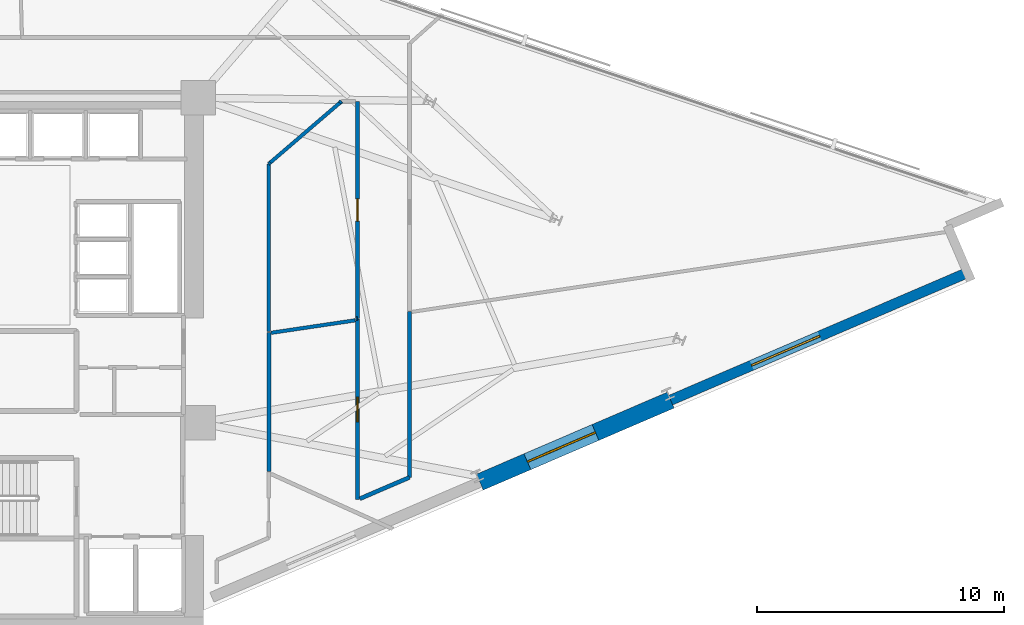
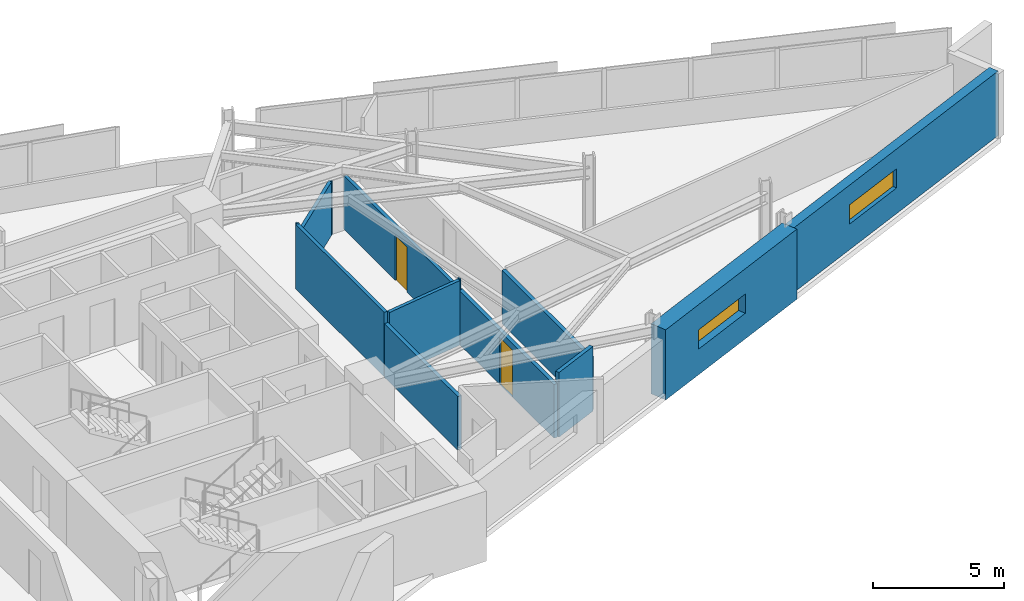
# One storey, part 11 of 14: 13 walls, 2 doors, 2 windows, 4 openings.
"""IFC4 building model written with IfcOpenShell, lengths in metres."""

import ifcopenshell
import ifcopenshell.guid

model = None  # the IFC model being written
_history = None  # IfcOwnerHistory: only IFC2X3 demands one
_inside = {}  # id of a spatial element -> (the spatial element, [elements in it])
_under = {}  # id of a project, library or spatial element -> (it, [spatial elements below it])
_declared = {}  # id of a project -> (the project, [libraries it declares])
_typed = {}  # id of a type object -> (the type object, [elements of that type])
_made_of = {}  # id of a material, layer set ... -> (it, [elements and type objects made of it])


def new_model(schema):
    """Start an empty IFC model of exactly this schema.

    Asked for "IFC4X3", IfcOpenShell would pick the latest addendum, in which some entities
    have other attributes; the version numbers below select the first issue.
    IFC2X3 requires an IfcOwnerHistory on every rooted entity: one is made here for all.
    """
    global model, _history
    if schema == "IFC4X3":
        model = ifcopenshell.file(schema_version=(4, 3, 0, 0))
    else:
        model = ifcopenshell.file(schema=schema)
    _inside.clear()
    _under.clear()
    _declared.clear()
    _typed.clear()
    _made_of.clear()
    _history = None
    if model.schema == "IFC2X3":
        org = make("IfcOrganization", Name="unknown")
        user = make(
            "IfcPersonAndOrganization",
            ThePerson=make("IfcPerson", FamilyName="unknown"),
            TheOrganization=org,
        )
        app = make(
            "IfcApplication",
            ApplicationDeveloper=org,
            Version="unknown",
            ApplicationFullName="unknown",
            ApplicationIdentifier="unknown",
        )
        _history = make(
            "IfcOwnerHistory",
            OwningUser=user,
            OwningApplication=app,
            ChangeAction="ADDED",
            CreationDate=0,
        )
    return model


def make(cls, **values):
    """One entity of the class cls with the attributes given. An attribute that is None is left unset."""
    return model.create_entity(
        cls, **{name: value for name, value in values.items() if value is not None}
    )


def rooted(cls, **values):
    """An entity with a GlobalId (a new one), such as an element, a storey or a relation."""
    return make(cls, GlobalId=ifcopenshell.guid.new(), OwnerHistory=_history, **values)


def si_unit(unit_type, name, prefix=None):
    """IfcSIUnit, for example si_unit("LENGTHUNIT", "METRE", prefix="MILLI")."""
    return make("IfcSIUnit", UnitType=unit_type, Prefix=prefix, Name=name)


def assignment(units):
    """IfcUnitAssignment: the units of a project."""
    return None if units is None else make("IfcUnitAssignment", Units=units)


def point(xyz):
    """IfcCartesianPoint."""
    return None if xyz is None else make("IfcCartesianPoint", Coordinates=xyz)


def direction(xyz):
    """IfcDirection."""
    return None if xyz is None else make("IfcDirection", DirectionRatios=xyz)


def frame(location, z_axis=None, x_axis=None):
    """IfcAxis2Placement3D, a coordinate frame: its origin and axes. An axis left out is left unset."""
    return make(
        "IfcAxis2Placement3D",
        Location=point(location),
        Axis=direction(z_axis),
        RefDirection=direction(x_axis),
    )


def frame_2d(location, x_axis=None):
    """IfcAxis2Placement2D, a coordinate frame in the plane: its origin and x axis."""
    return make(
        "IfcAxis2Placement2D", Location=point(location), RefDirection=direction(x_axis)
    )


def origin():
    """The frame at (0, 0, 0) with its axes left unset."""
    return frame((0.0, 0.0, 0.0))


def place(relative_to, where):
    """IfcLocalPlacement: puts the frame where relative to a parent placement (None: the world)."""
    return make(
        "IfcLocalPlacement", PlacementRelTo=relative_to, RelativePlacement=where
    )


def context(
    kind, dimensions, precision=None, world=None, true_north=None, identifier=None
):
    """IfcGeometricRepresentationContext, for example the 3D "Model" context."""
    return make(
        "IfcGeometricRepresentationContext",
        ContextIdentifier=identifier,
        ContextType=kind,
        CoordinateSpaceDimension=dimensions,
        Precision=precision,
        WorldCoordinateSystem=world,
        TrueNorth=true_north,
    )


def subcontext(parent, identifier, kind, view, scale=None):
    """IfcGeometricRepresentationSubContext, for example "Body" below "Model"."""
    return make(
        "IfcGeometricRepresentationSubContext",
        ContextIdentifier=identifier,
        ContextType=kind,
        ParentContext=parent,
        TargetScale=scale,
        TargetView=view,
    )


def project(units=None, contexts=None):
    """IfcProject with its units and contexts."""
    return rooted(
        "IfcProject",
        Name="project",
        RepresentationContexts=contexts,
        UnitsInContext=assignment(units),
    )


def spatial(cls, under=None, at=None, **own):
    """A site, building, storey or space (cls), placed at a placement, below another one or the project."""
    s = rooted(cls, ObjectPlacement=at, **own)
    if under is not None:
        _under.setdefault(under.id(), (under, []))[1].append(s)
    return s


def profile(cls, at=None, kind="AREA", **sizes):
    """A parametric profile (cls). Its sizes go by their IFC names, for example OverallWidth=200.0."""
    return make(cls, ProfileType=kind, Position=at, **sizes)


def rectangle(**sizes):
    """IfcRectangleProfileDef."""
    return profile("IfcRectangleProfileDef", **sizes)


def extrude(swept, where, along, depth):
    """IfcExtrudedAreaSolid: the profile swept, set in the frame where, extruded along a direction by depth."""
    return make(
        "IfcExtrudedAreaSolid",
        SweptArea=swept,
        Position=where,
        ExtrudedDirection=direction(along),
        Depth=depth,
    )


def shape(context_of_items, identifier, shape_type, items):
    """IfcShapeRepresentation: the items that make up one representation, for example the "Body"."""
    return make(
        "IfcShapeRepresentation",
        ContextOfItems=context_of_items,
        RepresentationIdentifier=identifier,
        RepresentationType=shape_type,
        Items=items,
    )


def material(Name=None, Category=None):
    """IfcMaterial."""
    return make("IfcMaterial", Name=Name, Category=Category)


def layer(
    of_material, thickness, ventilated=None, Name=None, Category=None, Priority=None
):
    """IfcMaterialLayer: one layer of a wall or slab, of a material (None: an air gap)."""
    return make(
        "IfcMaterialLayer",
        Material=of_material,
        LayerThickness=thickness,
        IsVentilated=ventilated,
        Name=Name,
        Category=Category,
        Priority=Priority,
    )


def layer_set(layers, Name=None):
    """IfcMaterialLayerSet."""
    return make("IfcMaterialLayerSet", MaterialLayers=layers, LayerSetName=Name)


def made_of(thing, what):
    """Note that an element or type object is made of a material, layer set ...; save() writes the relation."""
    if what is not None:
        _made_of.setdefault(what.id(), (what, []))[1].append(thing)
    return thing


def type_object(cls, material=None, **own):
    """A type object (cls), such as IfcWallType, which elements share."""
    return made_of(rooted(cls, **own), material)


def element(
    cls,
    number,
    at=None,
    inside=None,
    cuts=None,
    type_object=None,
    material=None,
    context=None,
    identifier="Body",
    shape_type=None,
    held_by="IfcProductDefinitionShape",
    body=None,
    shapes=None,
    **own,
):
    """One element of the class cls, such as IfcWall. Its Tag is "e" and its number.

    at: its placement. inside: the storey or other place that contains it. cuts: it is an
    opening in that element (IfcRelVoidsElement). A single representation is given by context,
    identifier, shape_type and body (its items); several are given by shapes. held_by: the class
    of the entity that holds the representations. save() writes the other relations.
    """
    e = rooted(cls, Tag="e%d" % number, ObjectPlacement=at, **own)
    if body is not None:
        shapes = [shape(context, identifier, shape_type, body)]
    if shapes is not None:
        e.Representation = make(held_by, Representations=shapes)
    if inside is not None:
        _inside.setdefault(inside.id(), (inside, []))[1].append(e)
    if cuts is not None:
        rooted(
            "IfcRelVoidsElement", RelatingBuildingElement=cuts, RelatedOpeningElement=e
        )
    if type_object is not None:
        _typed.setdefault(type_object.id(), (type_object, []))[1].append(e)
    return made_of(e, material)


def fill(opening, filler):
    """IfcRelFillsElement: the door or window that sits in an opening."""
    return rooted(
        "IfcRelFillsElement",
        RelatingOpeningElement=opening,
        RelatedBuildingElement=filler,
    )


def aggregate(whole, parts):
    """IfcRelAggregates: a whole, such as a stair, and the parts it consists of."""
    return rooted("IfcRelAggregates", RelatingObject=whole, RelatedObjects=parts)


def save(model, path):
    """Write the relations noted so far, then the file.

    IfcRelAggregates (storeys below a building ...), IfcRelContainedInSpatialStructure (elements
    in a storey), IfcRelDefinesByType, IfcRelAssociatesMaterial and IfcRelDeclares: one each for
    every whole, place, type object, material and project.
    """
    for whole, parts in _under.values():
        aggregate(whole, parts)
    for where, things in _inside.values():
        rooted(
            "IfcRelContainedInSpatialStructure",
            RelatedElements=things,
            RelatingStructure=where,
        )
    for kind, things in _typed.values():
        rooted("IfcRelDefinesByType", RelatedObjects=things, RelatingType=kind)
    for what, things in _made_of.values():
        rooted("IfcRelAssociatesMaterial", RelatedObjects=things, RelatingMaterial=what)
    for by, libraries in _declared.values():
        rooted("IfcRelDeclares", RelatingContext=by, RelatedDefinitions=libraries)
    model.write(path)


model = new_model("IFC4")

# Units and contexts
model_context = context("Model", 3, precision=1e-05, world=origin(), true_north=direction((0.0, 1.0)))
body_context = subcontext(model_context, "Body", "Model", "MODEL_VIEW")
ifc_project = project(units=[si_unit("LENGTHUNIT", "METRE"), si_unit("AREAUNIT", "SQUARE_METRE"), si_unit("VOLUMEUNIT", "CUBIC_METRE"), si_unit("PLANEANGLEUNIT", "RADIAN"), si_unit("MASSUNIT", "GRAM", prefix="KILO")], contexts=[model_context])

# Site, building, storey
site_placement = place(None, origin())
site = spatial("IfcSite", under=ifc_project, at=site_placement, CompositionType="ELEMENT")
building_placement = place(site_placement, origin())
building = spatial("IfcBuilding", under=site, at=building_placement, Name="Narakoshi Arena Tower", CompositionType="ELEMENT")
storey_placement = place(building_placement, frame((0.0, 0.0, 193.179931640625)))
storey = spatial("IfcBuildingStorey", under=building, at=storey_placement, Name="L52", CompositionType="ELEMENT", Elevation=193.179931640625)

# Wall, opening, door
ifc_material_1 = material(Name="Gypsum plasterboard fire-rated partition")
ifc_layer_1 = layer(ifc_material_1, 0.1650390625)
ifc_layer_set_1 = layer_set([ifc_layer_1], Name="Gypsum plasterboard fire-rated partition")
wall_type_1 = type_object("IfcWallType", Name="WL-CORR-165", PredefinedType="PARTITIONING", material=ifc_layer_set_1)
wall_1_placement = place(storey_placement, frame((91.987548828125, 47.547119140625, 0.0), z_axis=(0.0, 0.0, 1.0), x_axis=(0.0, -1.0, 0.0)))
wall_1 = element("IfcWall", 1, at=wall_1_placement, inside=storey, type_object=wall_type_1, Name="L52 Corridor Partition 03-1", PredefinedType="PARTITIONING", context=body_context, shape_type="SweptSolid", body=[
    extrude(rectangle(XDim=7.306640625, YDim=0.1650390625, at=frame_2d((3.6533203125, 0.0))), origin(), (0.0, 0.0, 1.0), 2.505126953125),
])
opening_1_placement = place(wall_1_placement, frame((3.1533203125, 0.0, 0.0)))
opening_1 = element("IfcOpeningElement", 2, at=opening_1_placement, cuts=wall_1, Name="Opening D-06", PredefinedType="OPENING", context=body_context, shape_type="SweptSolid", body=[
    extrude(rectangle(XDim=1.0, YDim=2.199951171875, at=frame_2d((0.5, 1.10009765625))), frame((0.0, 0.092529296875, 0.0), z_axis=(0.0, -1.0, 0.0), x_axis=(1.0, 0.0, 0.0)), (0.0, 0.0, 1.0), 0.18505859375),
])
ifc_material_2 = material(Name="Stained oak solid-core timber", Category="wood")
door_type_1 = type_object("IfcDoorType", Name="DR-OFF-1000", OperationType="NOTDEFINED", PredefinedType="DOOR", material=ifc_material_2)
door_1_placement = place(opening_1_placement, frame((1.0, 0.0, 0.0), z_axis=(0.0, 0.0, 1.0), x_axis=(-1.0, 0.0, 0.0)))
door_1 = element("IfcDoor", 3, at=door_1_placement, inside=storey, type_object=door_type_1, Name="DR-L52-020", OperationType="SINGLE_SWING_RIGHT", OverallHeight=2.199951171875, OverallWidth=1.0, PredefinedType="DOOR", context=body_context, shape_type="SweptSolid", body=[
    extrude(rectangle(XDim=1.0, YDim=2.199951171875, at=frame_2d((0.5, 1.10009765625))), frame((0.0, 0.02490234375, 0.0), z_axis=(0.0, -1.0, 0.0), x_axis=(1.0, 0.0, 0.0)), (0.0, 0.0, 1.0), 0.050048828125),
])
fill(opening_1, door_1)

# Walls
wall_2_placement = place(storey_placement, frame((94.08740234375, 41.142822265625, 0.0), z_axis=(0.0, 0.0, 1.0), x_axis=(0.0, 1.0, 0.0)))
element("IfcWall", 4, at=wall_2_placement, inside=storey, type_object=wall_type_1, Name="L52 Corridor Partition 03-2", PredefinedType="PARTITIONING", context=body_context, shape_type="SweptSolid", body=[
    extrude(rectangle(XDim=6.716064453125, YDim=0.1650390625, at=frame_2d((3.35791015625, 0.0))), origin(), (0.0, 0.0, 1.0), 2.505126953125),
])
wall_3_placement = place(storey_placement, frame((88.39990234375, 41.388916015625, 0.0), z_axis=(0.0, 0.0, 1.0), x_axis=(0.0, 1.0, 0.0)))
element("IfcWall", 5, at=wall_3_placement, inside=storey, type_object=wall_type_1, Name="L52 Corridor Partition 03-3", PredefinedType="PARTITIONING", context=body_context, shape_type="SweptSolid", body=[
    extrude(rectangle(XDim=5.625, YDim=0.1650390625, at=frame_2d((2.8125, 0.0))), origin(), (0.0, 0.0, 1.0), 2.505126953125),
])
wall_4_placement = place(storey_placement, frame((92.08203125, 40.28125, 0.0), z_axis=(0.0, 0.0, 1.0), x_axis=(0.918791733635, 0.394742637935, 0.0)))
element("IfcWall", 6, at=wall_4_placement, inside=storey, type_object=wall_type_1, Name="L52 Corridor Partition 03-4", PredefinedType="PARTITIONING", context=body_context, shape_type="SweptSolid", body=[
    extrude(rectangle(XDim=2.1826171875, YDim=0.1650390625, at=frame_2d((1.09130859375, 0.0))), origin(), (0.0, 0.0, 1.0), 3.02001953125),
])

# Wall, opening, window
ifc_material_3 = material(Name="Concrete C60/75", Category="concrete")
ifc_layer_2 = layer(ifc_material_3, 0.699951171875)
ifc_layer_set_2 = layer_set([ifc_layer_2], Name="Concrete C60/75")
wall_type_2 = type_object("IfcWallType", Name="WL-LEG-700", PredefinedType="SHEAR", material=ifc_layer_set_2)
wall_5_placement = place(storey_placement, frame((96.936767578125, 40.951904296875, -0.260009765625), z_axis=(0.0, 0.0, 1.0), x_axis=(0.918782407933, 0.394764343468, 0.0)))
wall_5 = element("IfcWall", 7, at=wall_5_placement, inside=storey, type_object=wall_type_2, Name="L52 Architectural Concrete Structural Wall LEGA-3", PredefinedType="SHEAR", context=body_context, shape_type="SweptSolid", body=[
    extrude(rectangle(XDim=8.401611328125, YDim=0.699951171875, at=frame_2d((4.20068359375, 0.0))), origin(), (0.0, 0.0, 1.0), 3.280029296875),
])
opening_2_placement = place(wall_5_placement, frame((2.092529296875, 0.0, 1.199951171875)))
opening_2 = element("IfcOpeningElement", 8, at=opening_2_placement, cuts=wall_5, Name="Opening WN-03", PredefinedType="OPENING", context=body_context, shape_type="SweptSolid", body=[
    extrude(rectangle(XDim=3.0, YDim=0.89990234375, at=frame_2d((1.5, 0.449951171875))), frame((0.0, 0.35986328125, 0.0), z_axis=(0.0, -1.0, 0.0), x_axis=(1.0, 0.0, 0.0)), (0.0, 0.0, 1.0), 0.719970703125),
])
ifc_material_4 = material(Name="Bronze-tinted low-E laminated glass", Category="glass")
window_type = type_object("IfcWindowType", Name="WIN-SLT-30x09", PartitioningType="SINGLE_PANEL", PredefinedType="WINDOW", material=ifc_material_4)
window_1_placement = place(opening_2_placement, origin())
window_1 = element("IfcWindow", 9, at=window_1_placement, inside=storey, type_object=window_type, Name="L52 LEGA3 Horizontal Slot Window 1", OverallHeight=0.89990234375, OverallWidth=3.0, PartitioningType="SINGLE_PANEL", PredefinedType="WINDOW", context=body_context, shape_type="SweptSolid", body=[
    extrude(rectangle(XDim=3.0, YDim=0.89990234375, at=frame_2d((1.5, 0.449951171875))), frame((0.0, 0.030029296875, 0.0), z_axis=(0.0, -1.0, 0.0), x_axis=(1.0, 0.0, 0.0)), (0.0, 0.0, 1.0), 0.06005859375),
])
fill(opening_2, window_1)

ifc_material_5 = material(Name="Precast concrete C45/55", Category="concrete")
ifc_layer_3 = layer(ifc_material_5, 0.419921875)
ifc_layer_set_3 = layer_set([ifc_layer_3], Name="Precast concrete C45/55")
wall_type_3 = type_object("IfcWallType", Name="WL-POD-420", PredefinedType="SOLIDWALL", material=ifc_layer_set_3)
wall_6_placement = place(storey_placement, frame((104.656005859375, 44.2685546875, 0.0), z_axis=(0.0, 0.0, 1.0), x_axis=(0.918789071809, 0.394748833467, 0.0)))
wall_6 = element("IfcWall", 10, at=wall_6_placement, inside=storey, type_object=wall_type_3, Name="L52 Architectural Concrete Facade Wall LEGA-4", PredefinedType="SOLIDWALL", context=body_context, shape_type="SweptSolid", body=[
    extrude(rectangle(XDim=13.06884765625, YDim=0.419921875, at=frame_2d((6.534423828125, 0.0))), origin(), (0.0, 0.0, 1.0), 3.02001953125),
])
opening_3_placement = place(wall_6_placement, frame((3.56201171875, 0.0, 1.199951171875)))
opening_3 = element("IfcOpeningElement", 11, at=opening_3_placement, cuts=wall_6, Name="Opening WN-03", PredefinedType="OPENING", context=body_context, shape_type="SweptSolid", body=[
    extrude(rectangle(XDim=3.0, YDim=0.89990234375, at=frame_2d((1.5, 0.449951171875))), frame((0.0, 0.219970703125, 0.0), z_axis=(0.0, -1.0, 0.0), x_axis=(1.0, 0.0, 0.0)), (0.0, 0.0, 1.0), 0.43994140625),
])
window_2_placement = place(opening_3_placement, origin())
window_2 = element("IfcWindow", 12, at=window_2_placement, inside=storey, type_object=window_type, Name="L52 LEGA4 Horizontal Slot Window 1", OverallHeight=0.89990234375, OverallWidth=3.0, PartitioningType="SINGLE_PANEL", PredefinedType="WINDOW", context=body_context, shape_type="SweptSolid", body=[
    extrude(rectangle(XDim=3.0, YDim=0.89990234375, at=frame_2d((1.5, 0.449951171875))), frame((0.0, 0.030029296875, 0.0), z_axis=(0.0, -1.0, 0.0), x_axis=(1.0, 0.0, 0.0)), (0.0, 0.0, 1.0), 0.06005859375),
])
fill(opening_3, window_2)

# Wall
ifc_material_6 = material(Name="Moisture-resistant cement-board partition")
ifc_layer_4 = layer(ifc_material_6, 0.14501953125)
ifc_layer_set_4 = layer_set([ifc_layer_4], Name="Moisture-resistant cement-board partition")
wall_type_4 = type_object("IfcWallType", Name="WL-WET-145", PredefinedType="PARTITIONING", material=ifc_layer_set_4)
wall_7_placement = place(storey_placement, frame((88.494384765625, 46.992431640625, 0.0), z_axis=(0.0, 0.0, 1.0), x_axis=(0.989176358179, 0.146731497711, 0.0)))
element("IfcWall", 13, at=wall_7_placement, inside=storey, type_object=wall_type_4, Name="L52 Inter-Room Partition 03-05", PredefinedType="PARTITIONING", context=body_context, shape_type="SweptSolid", body=[
    extrude(rectangle(XDim=3.435791015625, YDim=0.14501953125, at=frame_2d((1.7177734375, 0.0))), origin(), (0.0, 0.0, 1.0), 3.02001953125),
])

# Wall, opening, door
wall_8_placement = place(storey_placement, frame((91.987548828125, 56.35009765625, 0.0), z_axis=(0.0, 0.0, 1.0), x_axis=(0.0, -1.0, 0.0)))
wall_8 = element("IfcWall", 14, at=wall_8_placement, inside=storey, type_object=wall_type_4, Name="L52 Corridor Partition 05-1", PredefinedType="PARTITIONING", context=body_context, shape_type="SweptSolid", body=[
    extrude(rectangle(XDim=8.77880859375, YDim=0.14501953125, at=frame_2d((4.389404296875, 0.0))), origin(), (0.0, 0.0, 1.0), 2.505126953125),
])
opening_4_placement = place(wall_8_placement, frame((3.939453125, 0.0, 0.0)))
opening_4 = element("IfcOpeningElement", 15, at=opening_4_placement, cuts=wall_8, Name="Opening D-08", PredefinedType="OPENING", context=body_context, shape_type="SweptSolid", body=[
    extrude(rectangle(XDim=0.89990234375, YDim=2.10009765625, at=frame_2d((0.449951171875, 1.050048828125))), frame((0.0, 0.08251953125, 0.0), z_axis=(0.0, -1.0, 0.0), x_axis=(1.0, 0.0, 0.0)), (0.0, 0.0, 1.0), 0.1650390625),
])
ifc_material_7 = material(Name="Moisture-resistant laminate timber", Category="wood")
door_type_2 = type_object("IfcDoorType", Name="DR-WC-900", OperationType="NOTDEFINED", PredefinedType="DOOR", material=ifc_material_7)
door_2_placement = place(opening_4_placement, frame((0.89990234375, 0.0, 0.0), z_axis=(0.0, 0.0, 1.0), x_axis=(-1.0, 0.0, 0.0)))
door_2 = element("IfcDoor", 16, at=door_2_placement, inside=storey, type_object=door_type_2, Name="DR-L52-022", OperationType="SINGLE_SWING_RIGHT", OverallHeight=2.10009765625, OverallWidth=0.89990234375, PredefinedType="DOOR", context=body_context, shape_type="SweptSolid", body=[
    extrude(rectangle(XDim=0.89990234375, YDim=2.10009765625, at=frame_2d((0.449951171875, 1.050048828125))), frame((0.0, 0.02490234375, 0.0), z_axis=(0.0, -1.0, 0.0), x_axis=(1.0, 0.0, 0.0)), (0.0, 0.0, 1.0), 0.050048828125),
])
fill(opening_4, door_2)

# Walls
wall_9_placement = place(storey_placement, frame((88.39990234375, 47.038330078125, 0.0), z_axis=(0.0, 0.0, 1.0), x_axis=(0.0, 1.0, 0.0)))
element("IfcWall", 17, at=wall_9_placement, inside=storey, type_object=wall_type_4, Name="L52 Corridor Partition 05-2", PredefinedType="PARTITIONING", context=body_context, shape_type="SweptSolid", body=[
    extrude(rectangle(XDim=6.78857421875, YDim=0.14501953125, at=frame_2d((3.394287109375, 0.0))), origin(), (0.0, 0.0, 1.0), 3.02001953125),
])
wall_10_placement = place(storey_placement, frame((91.268798828125, 56.2900390625, 0.0), z_axis=(0.0, 0.0, 1.0), x_axis=(0.757002151441, 0.653412383349, 0.0)))
element("IfcWall", 18, at=wall_10_placement, inside=storey, type_object=wall_type_4, Name="L52 Corridor Partition 05-4", PredefinedType="PARTITIONING", context=body_context, shape_type="SweptSolid", body=[
    extrude(rectangle(XDim=0.091796875, YDim=0.14501953125, at=frame_2d((0.0458984375, 0.0))), origin(), (0.0, 0.0, 1.0), 2.505126953125),
])
wall_11_placement = place(storey_placement, frame((88.39990234375, 53.826904296875, 0.0), z_axis=(0.0, 0.0, 1.0), x_axis=(0.759038758193, 0.651045438938, 0.0)))
element("IfcWall", 19, at=wall_11_placement, inside=storey, type_object=wall_type_4, Name="L52 Corridor Partition 05-5", PredefinedType="PARTITIONING", context=body_context, shape_type="SweptSolid", body=[
    extrude(rectangle(XDim=0.0791015625, YDim=0.14501953125, at=frame_2d((0.03955078125, 0.0))), origin(), (0.0, 0.0, 1.0), 3.02001953125),
])
wall_12_placement = place(storey_placement, frame((91.987548828125, 47.5712890625, 0.0), z_axis=(0.0, 0.0, 1.0), x_axis=(-0.988877304166, -0.148733578269, 0.0)))
element("IfcWall", 20, at=wall_12_placement, inside=storey, type_object=wall_type_4, Name="L52 Corridor Partition 05-6", PredefinedType="PARTITIONING", context=body_context, shape_type="SweptSolid", body=[
    extrude(rectangle(XDim=0.060791015625, YDim=0.14501953125, at=frame_2d((0.0302734375, 0.0))), origin(), (0.0, 0.0, 1.0), 3.02001953125),
])
wall_13_placement = place(storey_placement, frame((88.4599609375, 53.87841796875, 0.0), z_axis=(0.0, 0.0, 1.0), x_axis=(0.758716354213, 0.651421134021, 0.0)))
element("IfcWall", 21, at=wall_13_placement, inside=storey, type_object=wall_type_4, Name="L52 Room Enclosure Partition 05-1", PredefinedType="PARTITIONING", context=body_context, shape_type="SweptSolid", body=[
    extrude(rectangle(XDim=3.7021484375, YDim=0.14501953125, at=frame_2d((1.85107421875, 0.0))), origin(), (0.0, 0.0, 1.0), 2.505126953125),
])

save(model, "model.ifc")
